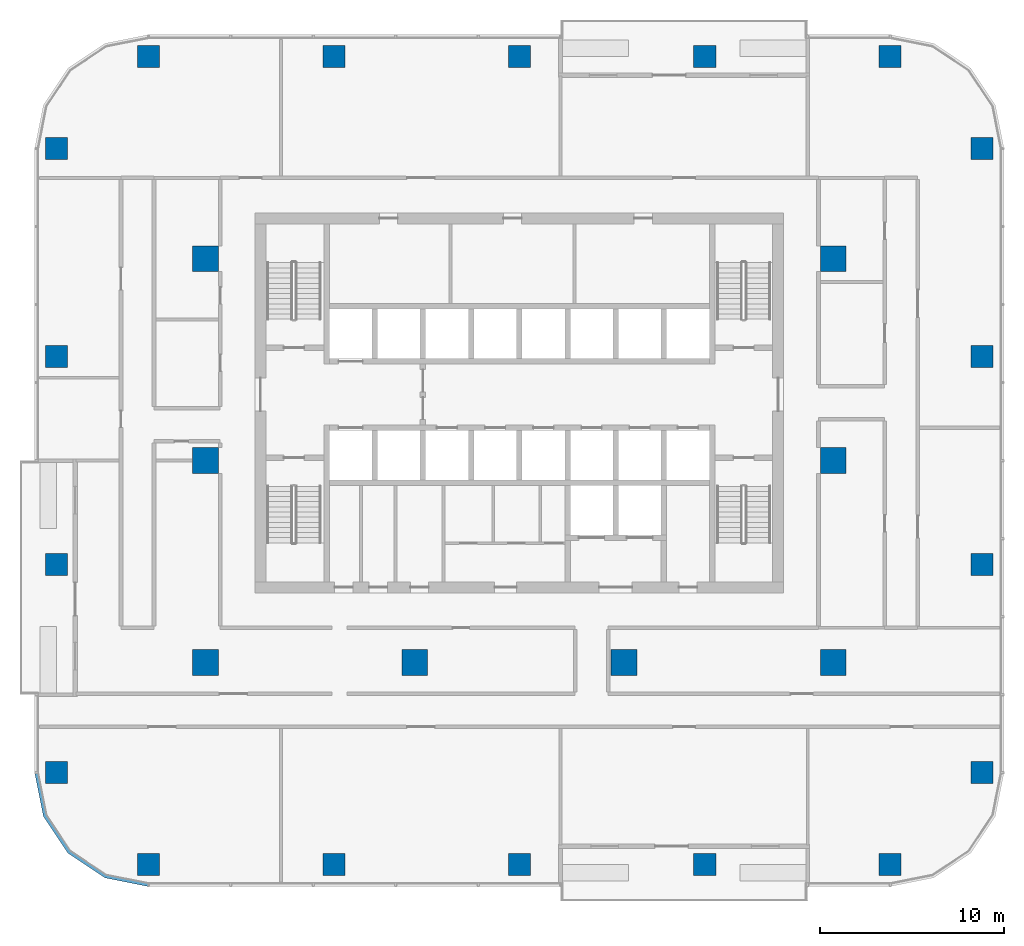
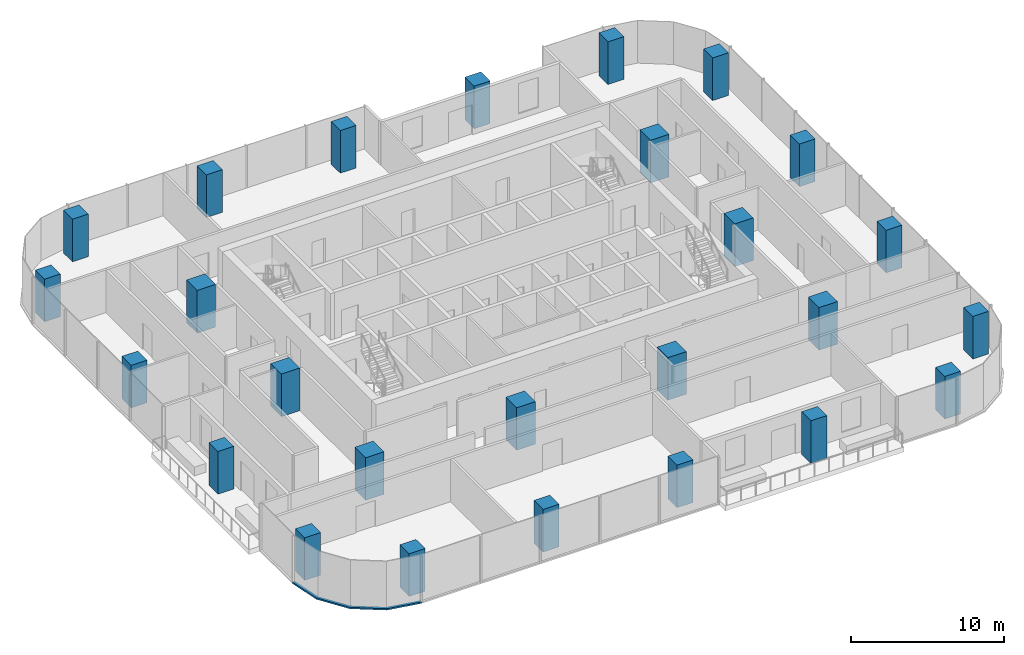
# One storey, part 1 of 14: 26 columns, 1 member, 1 element without a shape of its own.
"""IFC4 building model written with IfcOpenShell, lengths in metres."""

from ifc_helpers import new_model, si_unit, direction, frame, origin, origin_2d, place, context, subcontext, project, spatial, polyline, rectangle, outline, extrude, material, material_profile, profile_set, type_object, element, aggregate, save


model = new_model("IFC4")

# Units and contexts
model_context = context("Model", 3, precision=1e-05, world=origin(), true_north=direction((0.0, 1.0)))
body_context = subcontext(model_context, "Body", "Model", "MODEL_VIEW")
ifc_project = project(units=[si_unit("LENGTHUNIT", "METRE"), si_unit("AREAUNIT", "SQUARE_METRE"), si_unit("VOLUMEUNIT", "CUBIC_METRE"), si_unit("PLANEANGLEUNIT", "RADIAN"), si_unit("MASSUNIT", "GRAM", prefix="KILO")], contexts=[model_context])

# Site, building, storey
site_placement = place(None, origin())
site = spatial("IfcSite", under=ifc_project, at=site_placement, CompositionType="ELEMENT")
building_placement = place(site_placement, origin())
building = spatial("IfcBuilding", under=site, at=building_placement, Name="Mopane Tessera Tower", CompositionType="ELEMENT")
storey_placement = place(building_placement, frame((0.0, 0.0, 201.0)))
storey = spatial("IfcBuildingStorey", under=building, at=storey_placement, Name="L42", CompositionType="ELEMENT", Elevation=201.0)

# Columns
ifc_material_1 = material(Name="Concrete C50/60", Category="concrete")
ifc_material_profile_1 = material_profile(ifc_material_1, rectangle(XDim=1.39990234375, YDim=1.39990234375, at=origin_2d()))
ifc_profile_set_1 = profile_set([ifc_material_profile_1], Name="Concrete C50/60")
column_type_1 = type_object("IfcColumnType", Name="Interior column 1400 x 1400 C50/60", PredefinedType="COLUMN", material=ifc_profile_set_1)
for number, where, z_axis, x_axis, name in (
    (1, (-17.10009765625, -11.0, 0.0), (0.0, 0.0, 1.0), (1.0, 0.0, 0.0), "Interior column I1A L42"),
    (2, (-17.10009765625, 0.0, 0.0), (0.0, 0.0, 1.0), (1.0, 0.0, 0.0), "Interior column I1B L42"),
    (3, (-17.10009765625, 11.0, 0.0), (0.0, 0.0, 1.0), (1.0, 0.0, 0.0), "Interior column I1C L42"),
    (4, (-5.699951171875, -11.0, 0.0), (0.0, 0.0, 1.0), (1.0, 0.0, 0.0), "Interior column I2A L42"),
    (5, (5.699951171875, -11.0, 0.0), (0.0, 0.0, 1.0), (1.0, 0.0, 0.0), "Interior column I3A L42"),
    (6, (17.10009765625, -11.0, 0.0), (0.0, 0.0, 1.0), (1.0, 0.0, 0.0), "Interior column I4A L42"),
    (7, (17.10009765625, 0.0, 0.0), (0.0, 0.0, 1.0), (1.0, 0.0, 0.0), "Interior column I4B L42"),
    (8, (17.10009765625, 11.0, 0.0), (0.0, 0.0, 1.0), (1.0, 0.0, 0.0), "Interior column I4C L42"),
):
    element("IfcColumn", number, at=place(storey_placement, frame(where, z_axis=z_axis, x_axis=x_axis)), inside=storey, type_object=column_type_1, Name=name, PredefinedType="COLUMN", context=body_context, shape_type="SweptSolid", body=[
        extrude(rectangle(XDim=1.39990234375, YDim=1.39990234375, at=origin_2d()), origin(), (0.0, 0.0, 1.0), 3.39990234375),
    ])
ifc_material_2 = material(Name="Concrete C50/60", Category="concrete")
ifc_material_profile_2 = material_profile(ifc_material_2, rectangle(XDim=1.199951171875, YDim=1.199951171875, at=origin_2d()))
ifc_profile_set_2 = profile_set([ifc_material_profile_2], Name="Concrete C50/60")
column_type_2 = type_object("IfcColumnType", Name="Ring column 1200 x 1200 C50/60", PredefinedType="COLUMN", material=ifc_profile_set_2)
for number, where, z_axis, x_axis, name in (
    (9, (-20.199951171875, -22.0, 0.0), (0.0, 0.0, 1.0), (1.0, 0.0, 0.0), "Ring column S0 L42"),
    (10, (-10.10009765625, -22.0, 0.0), (0.0, 0.0, 1.0), (1.0, 0.0, 0.0), "Ring column S1 L42"),
    (11, (0.0, -22.0, 0.0), (0.0, 0.0, 1.0), (1.0, 0.0, 0.0), "Ring column S2 L42"),
    (12, (10.10009765625, -22.0, 0.0), (0.0, 0.0, 1.0), (1.0, 0.0, 0.0), "Ring column S3 L42"),
    (13, (20.199951171875, -22.0, 0.0), (0.0, 0.0, 1.0), (1.0, 0.0, 0.0), "Ring column S4 L42"),
    (14, (25.199951171875, -17.0, 0.0), (0.0, 0.0, 1.0), (1.0, 0.0, 0.0), "Ring column E0 L42"),
    (15, (25.199951171875, -5.666748046875, 0.0), (0.0, 0.0, 1.0), (1.0, 0.0, 0.0), "Ring column E1 L42"),
    (16, (25.199951171875, 5.666748046875, 0.0), (0.0, 0.0, 1.0), (1.0, 0.0, 0.0), "Ring column E2 L42"),
    (17, (25.199951171875, 17.0, 0.0), (0.0, 0.0, 1.0), (1.0, 0.0, 0.0), "Ring column E3 L42"),
    (18, (20.199951171875, 22.0, 0.0), (0.0, 0.0, 1.0), (1.0, 0.0, 0.0), "Ring column N0 L42"),
    (19, (10.10009765625, 22.0, 0.0), (0.0, 0.0, 1.0), (1.0, 0.0, 0.0), "Ring column N1 L42"),
    (20, (0.0, 22.0, 0.0), (0.0, 0.0, 1.0), (1.0, 0.0, 0.0), "Ring column N2 L42"),
    (21, (-10.10009765625, 22.0, 0.0), (0.0, 0.0, 1.0), (1.0, 0.0, 0.0), "Ring column N3 L42"),
    (22, (-20.199951171875, 22.0, 0.0), (0.0, 0.0, 1.0), (1.0, 0.0, 0.0), "Ring column N4 L42"),
    (23, (-25.199951171875, 17.0, 0.0), (0.0, 0.0, 1.0), (1.0, 0.0, 0.0), "Ring column W0 L42"),
    (24, (-25.199951171875, 5.666748046875, 0.0), (0.0, 0.0, 1.0), (1.0, 0.0, 0.0), "Ring column W1 L42"),
    (25, (-25.199951171875, -5.666748046875, 0.0), (0.0, 0.0, 1.0), (1.0, 0.0, 0.0), "Ring column W2 L42"),
    (26, (-25.199951171875, -17.0, 0.0), (0.0, 0.0, 1.0), (1.0, 0.0, 0.0), "Ring column W3 L42"),
):
    element("IfcColumn", number, at=place(storey_placement, frame(where, z_axis=z_axis, x_axis=x_axis)), inside=storey, type_object=column_type_2, Name=name, PredefinedType="COLUMN", context=body_context, shape_type="SweptSolid", body=[
        extrude(rectangle(XDim=1.199951171875, YDim=1.199951171875, at=origin_2d()), origin(), (0.0, 0.0, 1.0), 3.39990234375),
    ])

# Curtain wall, member
ifc_material_3 = material(Name="Aluminium frame", Category="aluminium")
curtain_wall_type = type_object("IfcCurtainWallType", Name="Unitised curtain wall", PredefinedType="NOTDEFINED", material=ifc_material_3)
curtain_wall_placement = place(storey_placement, origin())
curtain_wall = element("IfcCurtainWall", 27, at=curtain_wall_placement, inside=storey, type_object=curtain_wall_type, Name="e:cw:L42:CW", PredefinedType="NOTDEFINED")
ifc_material_4 = material(Name="Aluminium frame", Category="aluminium")
ifc_material_profile_3 = material_profile(ifc_material_4, rectangle(XDim=0.199951171875, YDim=0.1201171875, at=origin_2d()))
ifc_profile_set_3 = profile_set([ifc_material_profile_3], Name="Aluminium frame")
member_type = type_object("IfcMemberType", Name="Aluminium transom 200 x 120", PredefinedType="USERDEFINED", material=ifc_profile_set_3)
member_placement = place(storey_placement, frame((0.0, 0.0, -0.39990234375)))
member = element("IfcMember", 28, at=member_placement, type_object=member_type, Name="e:cw:L42:CW:tr", ObjectType="TRANSOM", PredefinedType="USERDEFINED", context=body_context, shape_type="SweptSolid", body=[
    extrude(outline(polyline([(-26.199951171875, -17.0), (-25.7431640625, -19.296142578125), (-24.442626953125, -21.24267578125), (-22.49609375, -22.543212890625), (-20.199951171875, -23.0), (-20.199951171875, -23.199951171875), (-22.57275390625, -22.72802734375), (-24.583984375, -21.384033203125), (-25.927978515625, -19.37255859375), (-26.39990234375, -17.0), (-26.199951171875, -17.0)])), origin(), (0.0, 0.0, 1.0), 0.119873046875),
])
aggregate(curtain_wall, [member])

save(model, "model.ifc")
